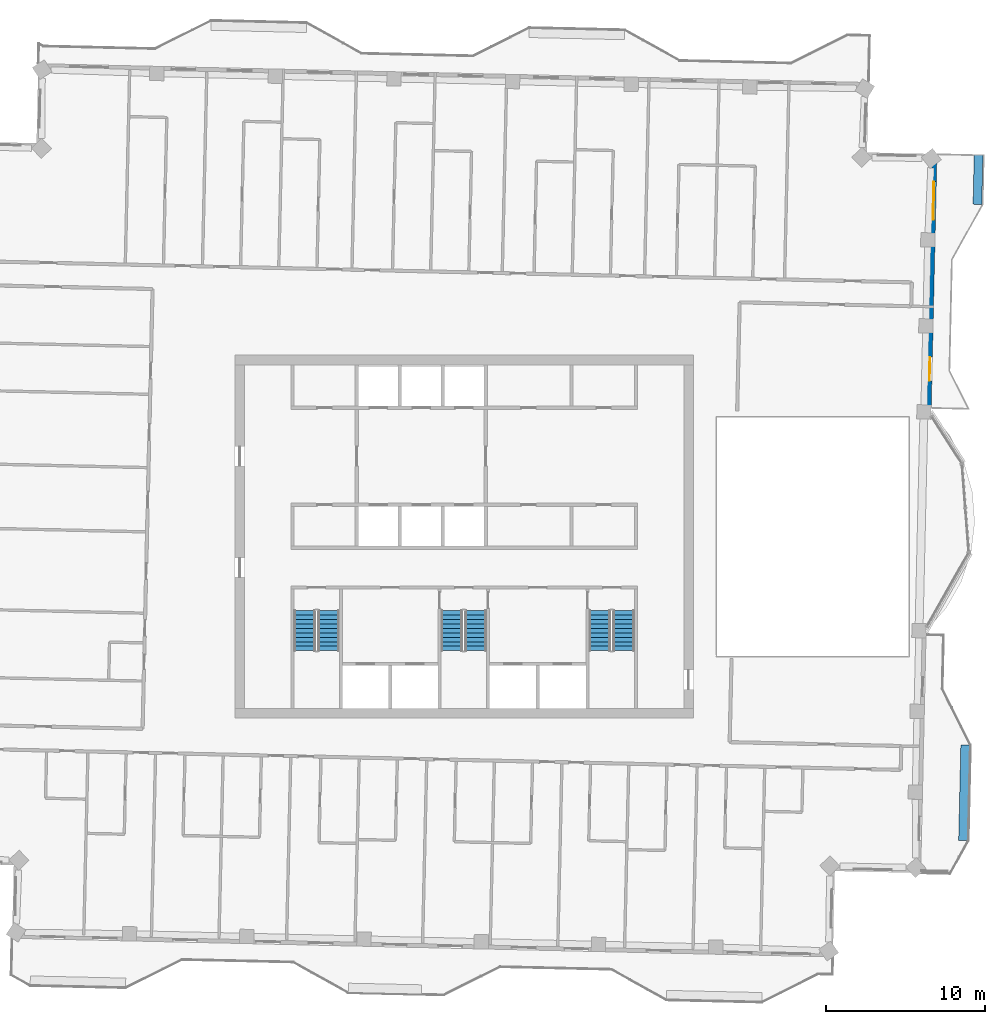
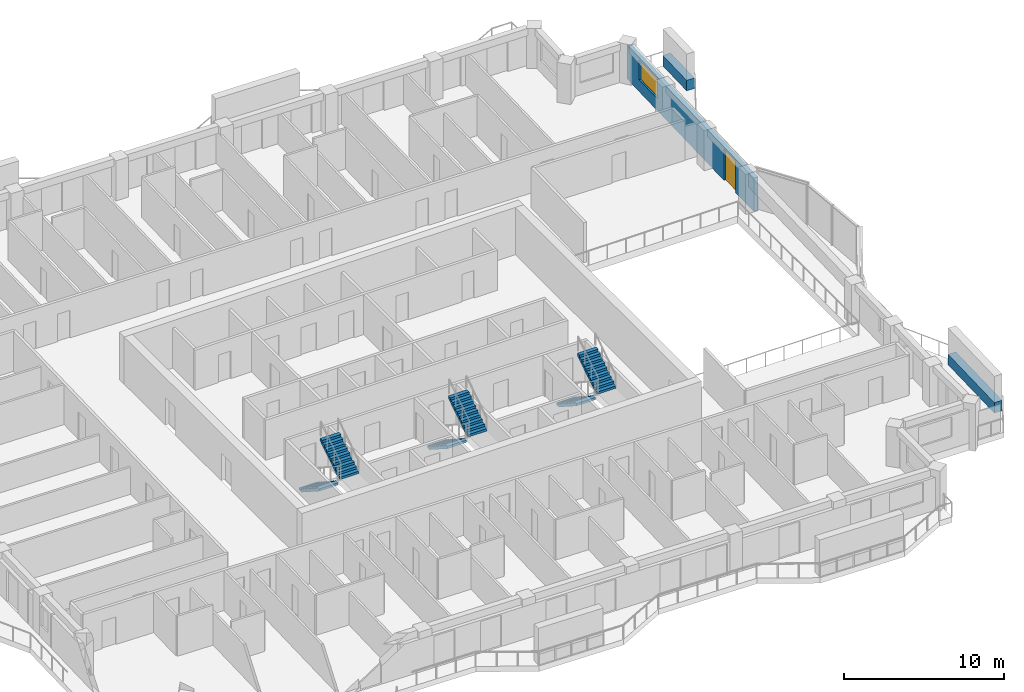
# One storey, part 11 of 15: 6 stair flights, 3 walls, 1 door, 1 window, 2 openings, 3 elements without a shape of their own.
"""IFC4 building model written with IfcOpenShell, lengths in metres."""

from ifc_helpers import new_model, si_unit, direction, frame, frame_2d, origin, place, context, subcontext, project, spatial, polyline, rectangle, outline, extrude, material, layer, layer_set, type_object, element, fill, aggregate, save


model = new_model("IFC4")

# Units and contexts
model_context = context("Model", 3, precision=1e-05, world=origin(), true_north=direction((0.0, 1.0)))
body_context = subcontext(model_context, "Body", "Model", "MODEL_VIEW")
ifc_project = project(units=[si_unit("LENGTHUNIT", "METRE"), si_unit("AREAUNIT", "SQUARE_METRE"), si_unit("VOLUMEUNIT", "CUBIC_METRE"), si_unit("PLANEANGLEUNIT", "RADIAN"), si_unit("MASSUNIT", "GRAM", prefix="KILO")], contexts=[model_context])

# Site, building, storey
site_placement = place(None, origin())
site = spatial("IfcSite", under=ifc_project, at=site_placement, CompositionType="ELEMENT")
building_placement = place(site_placement, origin())
building = spatial("IfcBuilding", under=site, at=building_placement, Name="Mangrove Gate Tower", CompositionType="ELEMENT")
storey_placement = place(building_placement, frame((0.0, 0.0, 313.300048828125)))
storey = spatial("IfcBuildingStorey", under=building, at=storey_placement, Name="L80", CompositionType="ELEMENT", Elevation=313.300048828125)

# Wall, openings, door, window
ifc_material_1 = material(Name="Limestone", Category="masonry")
ifc_layer_1 = layer(ifc_material_1, 0.0400390625, Name="Limestone cladding")
ifc_material_2 = material(Name="Ventilated air gap")
ifc_layer_2 = layer(ifc_material_2, 0.0400390625, Name="Ventilated cavity")
ifc_material_3 = material(Name="Mineral wool insulation")
ifc_layer_3 = layer(ifc_material_3, 0.06005859375, Name="Insulation")
ifc_material_4 = material(Name="Breather membrane")
ifc_layer_4 = layer(ifc_material_4, 0.001953125, Name="Breather membrane")
ifc_material_5 = material(Name="Concrete C20/25 blockwork", Category="masonry")
ifc_layer_5 = layer(ifc_material_5, 0.14990234375, Name="Blockwork backing wall")
ifc_material_6 = material(Name="Gypsum plaster")
ifc_layer_6 = layer(ifc_material_6, 0.008056640625, Name="Internal plaster")
ifc_layer_set_1 = layer_set([ifc_layer_1, ifc_layer_2, ifc_layer_3, ifc_layer_4, ifc_layer_5, ifc_layer_6], Name="External wall 300 limestone cladding")
wall_type_1 = type_object("IfcWallType", Name="External wall 300 limestone cladding", PredefinedType="SOLIDWALL", material=ifc_layer_set_1)
wall_1_placement = place(storey_placement, frame((29.18798828125, 7.404052734375, 0.0), z_axis=(0.0, 0.0, 1.0), x_axis=(0.022728463996, 0.999741675096, 0.0)))
wall_1 = element("IfcWall", 1, at=wall_1_placement, inside=storey, type_object=wall_type_1, Name="WALL-L80-E2s1", PredefinedType="SOLIDWALL", context=body_context, shape_type="SweptSolid", body=[
    extrude(rectangle(XDim=16.4990234375, YDim=0.300048828125, at=frame_2d((8.24951171875, 0.0))), origin(), (0.0, 0.0, 1.0), 2.550048828125),
])
opening_1_placement = place(wall_1_placement, frame((2.37890625, 0.0, 0.0)))
opening_1 = element("IfcOpeningElement", 2, at=opening_1_placement, cuts=wall_1, Name="Opening BD1", PredefinedType="OPENING", context=body_context, shape_type="SweptSolid", body=[
    extrude(rectangle(XDim=1.5, YDim=2.39990234375, at=frame_2d((0.75, 1.199951171875))), frame((0.0, 0.159912109375, 0.0), z_axis=(0.0, -1.0, 0.0), x_axis=(1.0, 0.0, 0.0)), (0.0, 0.0, 1.0), 0.320068359375),
])
opening_2_placement = place(wall_1_placement, frame((12.510986328125, 0.0, 0.89990234375)))
opening_2 = element("IfcOpeningElement", 3, at=opening_2_placement, cuts=wall_1, Name="Opening W2", PredefinedType="OPENING", context=body_context, shape_type="SweptSolid", body=[
    extrude(rectangle(XDim=2.39990234375, YDim=1.5, at=frame_2d((1.199951171875, 0.75))), frame((0.0, 0.159912109375, 0.0), z_axis=(0.0, -1.0, 0.0), x_axis=(1.0, 0.0, 0.0)), (0.0, 0.0, 1.0), 0.320068359375),
])
ifc_material_7 = material(Name="Aluminium frame with laminated clear glass", Category="aluminium")
door_type = type_object("IfcDoorType", Name="Balcony sliding door 1500x2400", OperationType="SLIDING_TO_LEFT", PredefinedType="DOOR", material=ifc_material_7)
door_placement = place(opening_1_placement, origin())
door = element("IfcDoor", 4, at=door_placement, inside=storey, type_object=door_type, Name="DOOR-L80-E2-1", OperationType="SLIDING_TO_LEFT", OverallHeight=2.39990234375, OverallWidth=1.5, PredefinedType="DOOR", context=body_context, shape_type="SweptSolid", body=[
    extrude(rectangle(XDim=1.5, YDim=2.39990234375, at=frame_2d((0.75, 1.199951171875))), frame((0.0, 0.02490234375, 0.0), z_axis=(0.0, -1.0, 0.0), x_axis=(1.0, 0.0, 0.0)), (0.0, 0.0, 1.0), 0.050048828125),
])
fill(opening_1, door)
ifc_material_8 = material(Name="Aluminium frame with double-glazed low-e glass", Category="aluminium")
window_type = type_object("IfcWindowType", Name="Corner room window 2400x1500", PartitioningType="DOUBLE_PANEL_VERTICAL", PredefinedType="WINDOW", material=ifc_material_8)
window_placement = place(opening_2_placement, origin())
window = element("IfcWindow", 5, at=window_placement, inside=storey, type_object=window_type, Name="WIN-L80-E2-2", OverallHeight=1.5, OverallWidth=2.39990234375, PartitioningType="DOUBLE_PANEL_VERTICAL", PredefinedType="WINDOW", context=body_context, shape_type="SweptSolid", body=[
    extrude(rectangle(XDim=2.39990234375, YDim=1.5, at=frame_2d((1.199951171875, 0.75))), frame((0.0, 0.030029296875, 0.0), z_axis=(0.0, -1.0, 0.0), x_axis=(1.0, 0.0, 0.0)), (0.0, 0.0, 1.0), 0.06005859375),
])
fill(opening_2, window)

# Walls
ifc_material_9 = material(Name="Concrete C32/40", Category="concrete")
ifc_layer_7 = layer(ifc_material_9, 0.199951171875, Name="Planter trough wall")
ifc_material_10 = material(Name="Bituminous waterproofing membrane")
ifc_layer_8 = layer(ifc_material_10, 0.0048828125, Name="Waterproofing")
ifc_material_11 = material(Name="Drainage board and gravel")
ifc_layer_9 = layer(ifc_material_11, 0.044921875, Name="Drainage layer")
ifc_material_12 = material(Name="Planting soil")
ifc_layer_10 = layer(ifc_material_12, 0.300048828125, Name="Growing medium")
ifc_layer_set_2 = layer_set([ifc_layer_7, ifc_layer_8, ifc_layer_9, ifc_layer_10], Name="Planter wall 550 C32/40")
wall_type_2 = type_object("IfcWallType", Name="Planter wall 550 C32/40", PredefinedType="USERDEFINED", material=ifc_layer_set_2)
wall_2_placement = place(storey_placement, frame((31.35302734375, -19.10302734375, 0.0), z_axis=(0.0, 0.0, 1.0), x_axis=(0.022665943652, 0.999743094499, 0.0)))
element("IfcWall", 6, at=wall_2_placement, inside=storey, type_object=wall_type_2, Name="PLANTER L80 E0.1", ObjectType="PLANTER", PredefinedType="USERDEFINED", context=body_context, shape_type="SweptSolid", body=[
    extrude(rectangle(XDim=5.99951171875, YDim=0.550048828125, at=frame_2d((2.999755859375, 0.0))), origin(), (0.0, 0.0, 1.0), 0.800048828125),
])
wall_3_placement = place(storey_placement, frame((32.260009765625, 20.885986328125, 0.0), z_axis=(0.0, 0.0, 1.0), x_axis=(0.022596213667, 0.999744672968, 0.0)))
element("IfcWall", 7, at=wall_3_placement, inside=storey, type_object=wall_type_2, Name="PLANTER L80 E1.1", ObjectType="PLANTER", PredefinedType="USERDEFINED", context=body_context, shape_type="SweptSolid", body=[
    extrude(rectangle(XDim=3.100830078125, YDim=0.550048828125, at=frame_2d((1.55029296875, 0.0))), origin(), (0.0, 0.0, 1.0), 0.800048828125),
])

# Stair, stair flights
ifc_material_13 = material(Name="Concrete C40/50", Category="concrete")
stair_type = type_object("IfcStairType", Name="Core stair 1350", PredefinedType="HALF_TURN_STAIR", material=ifc_material_13)
stair_1_placement = place(storey_placement, origin())
stair_1 = element("IfcStair", 8, at=stair_1_placement, inside=storey, type_object=stair_type, Name="L80 Stair 1", PredefinedType="HALF_TURN_STAIR")
ifc_material_14 = material(Name="Concrete C40/50", Category="concrete")
stair_flight_type = type_object("IfcStairFlightType", Name="Core stair flight 1350", PredefinedType="STRAIGHT", material=ifc_material_14)
stair_flight_1_placement = place(storey_placement, frame((-10.02490234375, -4.64990234375, 0.0), z_axis=(0.0, 0.0, 1.0), x_axis=(0.0, -1.0, 0.0)))
stair_flight_1 = element("IfcStairFlight", 9, at=stair_flight_1_placement, type_object=stair_flight_type, Name="ST1 flight 1", NumberOfRisers=10, NumberOfTreads=9, PredefinedType="STRAIGHT", RiserHeight=0.18, TreadLength=0.28, context=body_context, shape_type="SweptSolid", body=[
    extrude(outline(polyline([(0.0, 0.0), (0.0, 0.179931640625), (0.280029296875, 0.179931640625), (0.280029296875, 0.360107421875), (0.56005859375, 0.360107421875), (0.56005859375, 0.5400390625), (0.840087890625, 0.5400390625), (0.840087890625, 0.719970703125), (1.1201171875, 0.719970703125), (1.1201171875, 0.89990234375), (1.39990234375, 0.89990234375), (1.39990234375, 1.080078125), (1.679931640625, 1.080078125), (1.679931640625, 1.260009765625), (1.9599609375, 1.260009765625), (1.9599609375, 1.43994140625), (2.239990234375, 1.43994140625), (2.239990234375, 1.6201171875), (2.52001953125, 1.6201171875), (2.52001953125, 1.800048828125), (2.52001953125, 1.44189453125), (0.277099609375, 0.0), (0.0, 0.0)])), frame((0.0, 0.675048828125, 0.0), z_axis=(0.0, -1.0, 0.0), x_axis=(1.0, 0.0, 0.0)), (0.0, 0.0, 1.0), 1.35009765625),
])
stair_flight_2_placement = place(storey_placement, frame((-8.52490234375, -7.169921875, 1.800048828125), z_axis=(0.0, 0.0, 1.0), x_axis=(0.0, 1.0, 0.0)))
stair_flight_2 = element("IfcStairFlight", 10, at=stair_flight_2_placement, type_object=stair_flight_type, Name="ST1 flight 2", NumberOfRisers=10, NumberOfTreads=9, PredefinedType="STRAIGHT", RiserHeight=0.18, TreadLength=0.28, context=body_context, shape_type="SweptSolid", body=[
    extrude(outline(polyline([(0.0, 0.0), (0.0, 0.179931640625), (0.280029296875, 0.179931640625), (0.280029296875, 0.360107421875), (0.56005859375, 0.360107421875), (0.56005859375, 0.5400390625), (0.840087890625, 0.5400390625), (0.840087890625, 0.719970703125), (1.1201171875, 0.719970703125), (1.1201171875, 0.89990234375), (1.39990234375, 0.89990234375), (1.39990234375, 1.080078125), (1.679931640625, 1.080078125), (1.679931640625, 1.260009765625), (1.9599609375, 1.260009765625), (1.9599609375, 1.43994140625), (2.239990234375, 1.43994140625), (2.239990234375, 1.6201171875), (2.52001953125, 1.6201171875), (2.52001953125, 1.800048828125), (2.52001953125, 1.44189453125), (0.277099609375, 0.0), (0.0, 0.0)])), frame((0.0, 0.675048828125, 0.0), z_axis=(0.0, -1.0, 0.0), x_axis=(1.0, 0.0, 0.0)), (0.0, 0.0, 1.0), 1.35009765625),
])
aggregate(stair_1, [stair_flight_1, stair_flight_2])

stair_2_placement = place(storey_placement, origin())
stair_2 = element("IfcStair", 11, at=stair_2_placement, inside=storey, type_object=stair_type, Name="L80 Stair 2", PredefinedType="HALF_TURN_STAIR")
stair_flight_3_placement = place(storey_placement, frame((-0.77490234375, -4.64990234375, 0.0), z_axis=(0.0, 0.0, 1.0), x_axis=(0.0, -1.0, 0.0)))
stair_flight_3 = element("IfcStairFlight", 12, at=stair_flight_3_placement, type_object=stair_flight_type, Name="ST2 flight 1", NumberOfRisers=10, NumberOfTreads=9, PredefinedType="STRAIGHT", RiserHeight=0.18, TreadLength=0.28, context=body_context, shape_type="SweptSolid", body=[
    extrude(outline(polyline([(0.0, 0.0), (0.0, 0.179931640625), (0.280029296875, 0.179931640625), (0.280029296875, 0.360107421875), (0.56005859375, 0.360107421875), (0.56005859375, 0.5400390625), (0.840087890625, 0.5400390625), (0.840087890625, 0.719970703125), (1.1201171875, 0.719970703125), (1.1201171875, 0.89990234375), (1.39990234375, 0.89990234375), (1.39990234375, 1.080078125), (1.679931640625, 1.080078125), (1.679931640625, 1.260009765625), (1.9599609375, 1.260009765625), (1.9599609375, 1.43994140625), (2.239990234375, 1.43994140625), (2.239990234375, 1.6201171875), (2.52001953125, 1.6201171875), (2.52001953125, 1.800048828125), (2.52001953125, 1.44189453125), (0.277099609375, 0.0), (0.0, 0.0)])), frame((0.0, 0.675048828125, 0.0), z_axis=(0.0, -1.0, 0.0), x_axis=(1.0, 0.0, 0.0)), (0.0, 0.0, 1.0), 1.35009765625),
])
stair_flight_4_placement = place(storey_placement, frame((0.72509765625, -7.169921875, 1.800048828125), z_axis=(0.0, 0.0, 1.0), x_axis=(0.0, 1.0, 0.0)))
stair_flight_4 = element("IfcStairFlight", 13, at=stair_flight_4_placement, type_object=stair_flight_type, Name="ST2 flight 2", NumberOfRisers=10, NumberOfTreads=9, PredefinedType="STRAIGHT", RiserHeight=0.18, TreadLength=0.28, context=body_context, shape_type="SweptSolid", body=[
    extrude(outline(polyline([(0.0, 0.0), (0.0, 0.179931640625), (0.280029296875, 0.179931640625), (0.280029296875, 0.360107421875), (0.56005859375, 0.360107421875), (0.56005859375, 0.5400390625), (0.840087890625, 0.5400390625), (0.840087890625, 0.719970703125), (1.1201171875, 0.719970703125), (1.1201171875, 0.89990234375), (1.39990234375, 0.89990234375), (1.39990234375, 1.080078125), (1.679931640625, 1.080078125), (1.679931640625, 1.260009765625), (1.9599609375, 1.260009765625), (1.9599609375, 1.43994140625), (2.239990234375, 1.43994140625), (2.239990234375, 1.6201171875), (2.52001953125, 1.6201171875), (2.52001953125, 1.800048828125), (2.52001953125, 1.44189453125), (0.277099609375, 0.0), (0.0, 0.0)])), frame((0.0, 0.675048828125, 0.0), z_axis=(0.0, -1.0, 0.0), x_axis=(1.0, 0.0, 0.0)), (0.0, 0.0, 1.0), 1.35009765625),
])
aggregate(stair_2, [stair_flight_3, stair_flight_4])

stair_3_placement = place(storey_placement, origin())
stair_3 = element("IfcStair", 14, at=stair_3_placement, inside=storey, type_object=stair_type, Name="L80 Stair 3", PredefinedType="HALF_TURN_STAIR")
stair_flight_5_placement = place(storey_placement, frame((8.52490234375, -4.64990234375, 0.0), z_axis=(0.0, 0.0, 1.0), x_axis=(0.0, -1.0, 0.0)))
stair_flight_5 = element("IfcStairFlight", 15, at=stair_flight_5_placement, type_object=stair_flight_type, Name="ST3 flight 1", NumberOfRisers=10, NumberOfTreads=9, PredefinedType="STRAIGHT", RiserHeight=0.18, TreadLength=0.28, context=body_context, shape_type="SweptSolid", body=[
    extrude(outline(polyline([(0.0, 0.0), (0.0, 0.179931640625), (0.280029296875, 0.179931640625), (0.280029296875, 0.360107421875), (0.56005859375, 0.360107421875), (0.56005859375, 0.5400390625), (0.840087890625, 0.5400390625), (0.840087890625, 0.719970703125), (1.1201171875, 0.719970703125), (1.1201171875, 0.89990234375), (1.39990234375, 0.89990234375), (1.39990234375, 1.080078125), (1.679931640625, 1.080078125), (1.679931640625, 1.260009765625), (1.9599609375, 1.260009765625), (1.9599609375, 1.43994140625), (2.239990234375, 1.43994140625), (2.239990234375, 1.6201171875), (2.52001953125, 1.6201171875), (2.52001953125, 1.800048828125), (2.52001953125, 1.44189453125), (0.277099609375, 0.0), (0.0, 0.0)])), frame((0.0, 0.675048828125, 0.0), z_axis=(0.0, -1.0, 0.0), x_axis=(1.0, 0.0, 0.0)), (0.0, 0.0, 1.0), 1.35009765625),
])
stair_flight_6_placement = place(storey_placement, frame((10.02490234375, -7.169921875, 1.800048828125), z_axis=(0.0, 0.0, 1.0), x_axis=(0.0, 1.0, 0.0)))
stair_flight_6 = element("IfcStairFlight", 16, at=stair_flight_6_placement, type_object=stair_flight_type, Name="ST3 flight 2", NumberOfRisers=10, NumberOfTreads=9, PredefinedType="STRAIGHT", RiserHeight=0.18, TreadLength=0.28, context=body_context, shape_type="SweptSolid", body=[
    extrude(outline(polyline([(0.0, 0.0), (0.0, 0.179931640625), (0.280029296875, 0.179931640625), (0.280029296875, 0.360107421875), (0.56005859375, 0.360107421875), (0.56005859375, 0.5400390625), (0.840087890625, 0.5400390625), (0.840087890625, 0.719970703125), (1.1201171875, 0.719970703125), (1.1201171875, 0.89990234375), (1.39990234375, 0.89990234375), (1.39990234375, 1.080078125), (1.679931640625, 1.080078125), (1.679931640625, 1.260009765625), (1.9599609375, 1.260009765625), (1.9599609375, 1.43994140625), (2.239990234375, 1.43994140625), (2.239990234375, 1.6201171875), (2.52001953125, 1.6201171875), (2.52001953125, 1.800048828125), (2.52001953125, 1.44189453125), (0.277099609375, 0.0), (0.0, 0.0)])), frame((0.0, 0.675048828125, 0.0), z_axis=(0.0, -1.0, 0.0), x_axis=(1.0, 0.0, 0.0)), (0.0, 0.0, 1.0), 1.35009765625),
])
aggregate(stair_3, [stair_flight_5, stair_flight_6])

save(model, "model.ifc")
